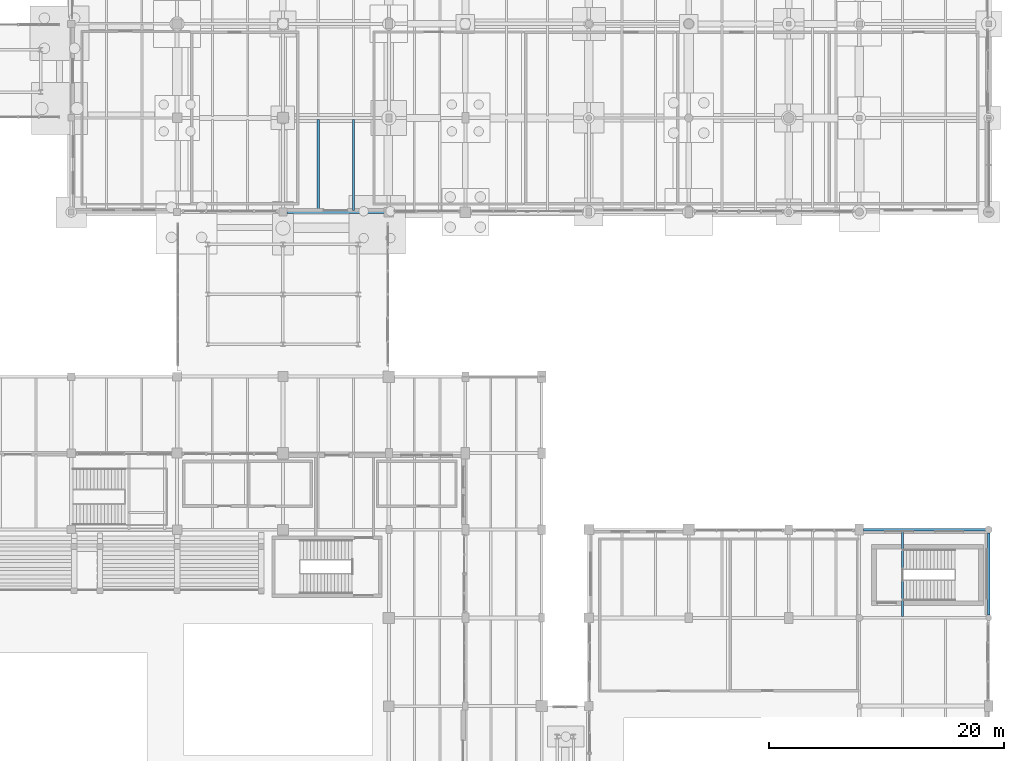
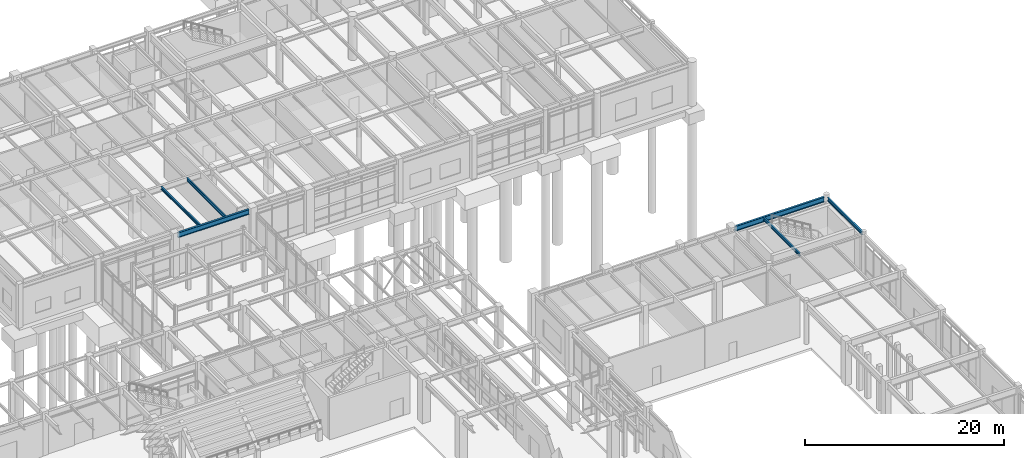
# One storey, part 126 of 203: 6 beams.
"""IFC4 building model written with IfcOpenShell, lengths in metres."""

import ifcopenshell
import ifcopenshell.guid

model = None  # the IFC model being written
_history = None  # IfcOwnerHistory: only IFC2X3 demands one
_inside = {}  # id of a spatial element -> (the spatial element, [elements in it])
_under = {}  # id of a project, library or spatial element -> (it, [spatial elements below it])
_declared = {}  # id of a project -> (the project, [libraries it declares])
_typed = {}  # id of a type object -> (the type object, [elements of that type])
_made_of = {}  # id of a material, layer set ... -> (it, [elements and type objects made of it])


def new_model(schema):
    """Start an empty IFC model of exactly this schema.

    Asked for "IFC4X3", IfcOpenShell would pick the latest addendum, in which some entities
    have other attributes; the version numbers below select the first issue.
    IFC2X3 requires an IfcOwnerHistory on every rooted entity: one is made here for all.
    """
    global model, _history
    if schema == "IFC4X3":
        model = ifcopenshell.file(schema_version=(4, 3, 0, 0))
    else:
        model = ifcopenshell.file(schema=schema)
    _inside.clear()
    _under.clear()
    _declared.clear()
    _typed.clear()
    _made_of.clear()
    _history = None
    if model.schema == "IFC2X3":
        org = make("IfcOrganization", Name="unknown")
        user = make(
            "IfcPersonAndOrganization",
            ThePerson=make("IfcPerson", FamilyName="unknown"),
            TheOrganization=org,
        )
        app = make(
            "IfcApplication",
            ApplicationDeveloper=org,
            Version="unknown",
            ApplicationFullName="unknown",
            ApplicationIdentifier="unknown",
        )
        _history = make(
            "IfcOwnerHistory",
            OwningUser=user,
            OwningApplication=app,
            ChangeAction="ADDED",
            CreationDate=0,
        )
    return model


def make(cls, **values):
    """One entity of the class cls with the attributes given. An attribute that is None is left unset."""
    return model.create_entity(
        cls, **{name: value for name, value in values.items() if value is not None}
    )


def rooted(cls, **values):
    """An entity with a GlobalId (a new one), such as an element, a storey or a relation."""
    return make(cls, GlobalId=ifcopenshell.guid.new(), OwnerHistory=_history, **values)


def si_unit(unit_type, name, prefix=None):
    """IfcSIUnit, for example si_unit("LENGTHUNIT", "METRE", prefix="MILLI")."""
    return make("IfcSIUnit", UnitType=unit_type, Prefix=prefix, Name=name)


def assignment(units):
    """IfcUnitAssignment: the units of a project."""
    return None if units is None else make("IfcUnitAssignment", Units=units)


def point(xyz):
    """IfcCartesianPoint."""
    return None if xyz is None else make("IfcCartesianPoint", Coordinates=xyz)


def direction(xyz):
    """IfcDirection."""
    return None if xyz is None else make("IfcDirection", DirectionRatios=xyz)


def frame(location, z_axis=None, x_axis=None):
    """IfcAxis2Placement3D, a coordinate frame: its origin and axes. An axis left out is left unset."""
    return make(
        "IfcAxis2Placement3D",
        Location=point(location),
        Axis=direction(z_axis),
        RefDirection=direction(x_axis),
    )


def frame_2d(location, x_axis=None):
    """IfcAxis2Placement2D, a coordinate frame in the plane: its origin and x axis."""
    return make(
        "IfcAxis2Placement2D", Location=point(location), RefDirection=direction(x_axis)
    )


def origin():
    """The frame at (0, 0, 0) with its axes left unset."""
    return frame((0.0, 0.0, 0.0))


def origin_2d():
    """The frame at (0, 0) in the plane with its x axis left unset."""
    return frame_2d((0.0, 0.0))


def place(relative_to, where):
    """IfcLocalPlacement: puts the frame where relative to a parent placement (None: the world)."""
    return make(
        "IfcLocalPlacement", PlacementRelTo=relative_to, RelativePlacement=where
    )


def context(
    kind, dimensions, precision=None, world=None, true_north=None, identifier=None
):
    """IfcGeometricRepresentationContext, for example the 3D "Model" context."""
    return make(
        "IfcGeometricRepresentationContext",
        ContextIdentifier=identifier,
        ContextType=kind,
        CoordinateSpaceDimension=dimensions,
        Precision=precision,
        WorldCoordinateSystem=world,
        TrueNorth=true_north,
    )


def subcontext(parent, identifier, kind, view, scale=None):
    """IfcGeometricRepresentationSubContext, for example "Body" below "Model"."""
    return make(
        "IfcGeometricRepresentationSubContext",
        ContextIdentifier=identifier,
        ContextType=kind,
        ParentContext=parent,
        TargetScale=scale,
        TargetView=view,
    )


def project(units=None, contexts=None):
    """IfcProject with its units and contexts."""
    return rooted(
        "IfcProject",
        Name="project",
        RepresentationContexts=contexts,
        UnitsInContext=assignment(units),
    )


def spatial(cls, under=None, at=None, **own):
    """A site, building, storey or space (cls), placed at a placement, below another one or the project."""
    s = rooted(cls, ObjectPlacement=at, **own)
    if under is not None:
        _under.setdefault(under.id(), (under, []))[1].append(s)
    return s


def profile(cls, at=None, kind="AREA", **sizes):
    """A parametric profile (cls). Its sizes go by their IFC names, for example OverallWidth=200.0."""
    return make(cls, ProfileType=kind, Position=at, **sizes)


def i_section(**sizes):
    """IfcIShapeProfileDef."""
    return profile("IfcIShapeProfileDef", **sizes)


def extrude(swept, where, along, depth):
    """IfcExtrudedAreaSolid: the profile swept, set in the frame where, extruded along a direction by depth."""
    return make(
        "IfcExtrudedAreaSolid",
        SweptArea=swept,
        Position=where,
        ExtrudedDirection=direction(along),
        Depth=depth,
    )


def shape(context_of_items, identifier, shape_type, items):
    """IfcShapeRepresentation: the items that make up one representation, for example the "Body"."""
    return make(
        "IfcShapeRepresentation",
        ContextOfItems=context_of_items,
        RepresentationIdentifier=identifier,
        RepresentationType=shape_type,
        Items=items,
    )


def material(Name=None, Category=None):
    """IfcMaterial."""
    return make("IfcMaterial", Name=Name, Category=Category)


def material_profile(
    of_material, cross_section, Name=None, Category=None, Priority=None
):
    """IfcMaterialProfile: a cross section and its material."""
    return make(
        "IfcMaterialProfile",
        Name=Name,
        Material=of_material,
        Profile=cross_section,
        Priority=Priority,
        Category=Category,
    )


def profile_set(profiles, Name=None, composite=None):
    """IfcMaterialProfileSet."""
    return make(
        "IfcMaterialProfileSet",
        Name=Name,
        MaterialProfiles=profiles,
        CompositeProfile=composite,
    )


def made_of(thing, what):
    """Note that an element or type object is made of a material, layer set ...; save() writes the relation."""
    if what is not None:
        _made_of.setdefault(what.id(), (what, []))[1].append(thing)
    return thing


def type_object(cls, material=None, **own):
    """A type object (cls), such as IfcWallType, which elements share."""
    return made_of(rooted(cls, **own), material)


def element(
    cls,
    number,
    at=None,
    inside=None,
    cuts=None,
    type_object=None,
    material=None,
    context=None,
    identifier="Body",
    shape_type=None,
    held_by="IfcProductDefinitionShape",
    body=None,
    shapes=None,
    **own,
):
    """One element of the class cls, such as IfcWall. Its Tag is "e" and its number.

    at: its placement. inside: the storey or other place that contains it. cuts: it is an
    opening in that element (IfcRelVoidsElement). A single representation is given by context,
    identifier, shape_type and body (its items); several are given by shapes. held_by: the class
    of the entity that holds the representations. save() writes the other relations.
    """
    e = rooted(cls, Tag="e%d" % number, ObjectPlacement=at, **own)
    if body is not None:
        shapes = [shape(context, identifier, shape_type, body)]
    if shapes is not None:
        e.Representation = make(held_by, Representations=shapes)
    if inside is not None:
        _inside.setdefault(inside.id(), (inside, []))[1].append(e)
    if cuts is not None:
        rooted(
            "IfcRelVoidsElement", RelatingBuildingElement=cuts, RelatedOpeningElement=e
        )
    if type_object is not None:
        _typed.setdefault(type_object.id(), (type_object, []))[1].append(e)
    return made_of(e, material)


def aggregate(whole, parts):
    """IfcRelAggregates: a whole, such as a stair, and the parts it consists of."""
    return rooted("IfcRelAggregates", RelatingObject=whole, RelatedObjects=parts)


def save(model, path):
    """Write the relations noted so far, then the file.

    IfcRelAggregates (storeys below a building ...), IfcRelContainedInSpatialStructure (elements
    in a storey), IfcRelDefinesByType, IfcRelAssociatesMaterial and IfcRelDeclares: one each for
    every whole, place, type object, material and project.
    """
    for whole, parts in _under.values():
        aggregate(whole, parts)
    for where, things in _inside.values():
        rooted(
            "IfcRelContainedInSpatialStructure",
            RelatedElements=things,
            RelatingStructure=where,
        )
    for kind, things in _typed.values():
        rooted("IfcRelDefinesByType", RelatedObjects=things, RelatingType=kind)
    for what, things in _made_of.values():
        rooted("IfcRelAssociatesMaterial", RelatedObjects=things, RelatingMaterial=what)
    for by, libraries in _declared.values():
        rooted("IfcRelDeclares", RelatingContext=by, RelatedDefinitions=libraries)
    model.write(path)


model = new_model("IFC4")

# Units and contexts
model_context = context("Model", 3, precision=1e-05, world=origin(), true_north=direction((0.0, 1.0)))
body_context = subcontext(model_context, "Body", "Model", "MODEL_VIEW")
ifc_project = project(units=[si_unit("LENGTHUNIT", "METRE"), si_unit("AREAUNIT", "SQUARE_METRE"), si_unit("VOLUMEUNIT", "CUBIC_METRE"), si_unit("PLANEANGLEUNIT", "RADIAN"), si_unit("MASSUNIT", "GRAM", prefix="KILO"), si_unit("THERMODYNAMICTEMPERATUREUNIT", "KELVIN"), si_unit("POWERUNIT", "WATT")], contexts=[model_context])

# Site, building, storey
site_placement = place(None, origin())
site = spatial("IfcSite", under=ifc_project, at=site_placement, CompositionType="ELEMENT")
building_placement = place(site_placement, origin())
building = spatial("IfcBuilding", under=site, at=building_placement, Name="Tepalcoro Natatorium and Aquatics Centre", CompositionType="ELEMENT")
storey_placement = place(building_placement, origin())
storey = spatial("IfcBuildingStorey", under=building, at=storey_placement, Name="L00", CompositionType="ELEMENT", Elevation=0.0)

# Beams
ifc_material = material(Name="Steel ASTM A992 Grade 50 (Fy 345 MPa)", Category="steel")
ifc_material_profile_1 = material_profile(ifc_material, i_section(OverallWidth=0.172119140625, OverallDepth=0.35791015625, WebThickness=0.008056640625, FlangeThickness=0.012939453125, FilletRadius=0.013916015625, at=origin_2d()), Name="W14X38")
ifc_profile_set_1 = profile_set([ifc_material_profile_1], Name="Steel ASTM A992 Grade 50 (Fy 345 MPa)")
beam_type_1 = type_object("IfcBeamType", Name="JS_W14x38", PredefinedType="JOIST", material=ifc_profile_set_1)
beam_1_placement = place(storey_placement, frame((168.666748046875, 51.6015625, 4.946044921875), z_axis=(0.0, 1.0, 0.0), x_axis=(-1.0, 0.0, 0.0)))
element("IfcBeam", 1, at=beam_1_placement, inside=storey, type_object=beam_type_1, Name="V2 L00 Floor Joist", PredefinedType="JOIST", context=body_context, shape_type="SweptSolid", body=[
    extrude(i_section(OverallWidth=0.172119140625, OverallDepth=0.35791015625, WebThickness=0.008056640625, FlangeThickness=0.012939453125, FilletRadius=0.013916015625, at=origin_2d()), origin(), (0.0, 0.0, 1.0), 7.283935546875),
])
beam_2_placement = place(storey_placement, frame((119.0, 86.114501953125, 4.946044921875), z_axis=(0.0, 1.0, 0.0), x_axis=(-1.0, 0.0, 0.0)))
element("IfcBeam", 2, at=beam_2_placement, inside=storey, type_object=beam_type_1, Name="V5 L00 Floor Joist", PredefinedType="JOIST", context=body_context, shape_type="SweptSolid", body=[
    extrude(i_section(OverallWidth=0.172119140625, OverallDepth=0.35791015625, WebThickness=0.008056640625, FlangeThickness=0.012939453125, FilletRadius=0.013916015625, at=origin_2d()), origin(), (0.0, 0.0, 1.0), 7.758544921875),
])
ifc_material_profile_2 = material_profile(ifc_material, i_section(OverallWidth=0.139892578125, OverallDepth=0.404052734375, WebThickness=0.007080078125, FlangeThickness=0.010986328125, FilletRadius=0.013916015625, at=origin_2d()), Name="W16X31")
ifc_profile_set_2 = profile_set([ifc_material_profile_2], Name="Steel ASTM A992 Grade 50 (Fy 345 MPa)")
beam_type_2 = type_object("IfcBeamType", Name="JS_W16x31", PredefinedType="JOIST", material=ifc_profile_set_2)
beam_3_placement = place(storey_placement, frame((122.0, 86.114501953125, 4.923095703125), z_axis=(0.0, 1.0, 0.0), x_axis=(-1.0, 0.0, 0.0)))
element("IfcBeam", 3, at=beam_3_placement, inside=storey, type_object=beam_type_2, Name="V5 L00 Floor Joist", PredefinedType="JOIST", context=body_context, shape_type="SweptSolid", body=[
    extrude(i_section(OverallWidth=0.139892578125, OverallDepth=0.404052734375, WebThickness=0.007080078125, FlangeThickness=0.010986328125, FilletRadius=0.013916015625, at=origin_2d()), origin(), (0.0, 0.0, 1.0), 7.758544921875),
])
ifc_material_profile_3 = material_profile(ifc_material, i_section(OverallWidth=0.179931640625, OverallDepth=0.4130859375, WebThickness=0.010009765625, FlangeThickness=0.01611328125, FilletRadius=0.013916015625, at=origin_2d()), Name="W16X50")
ifc_profile_set_3 = profile_set([ifc_material_profile_3], Name="Steel ASTM A992 Grade 50 (Fy 345 MPa)")
beam_type_3 = type_object("IfcBeamType", Name="SP_HSS300x200x12", PredefinedType="SPANDREL", material=ifc_profile_set_3)
beam_4_placement = place(storey_placement, frame((176.0, 51.735107421875, 4.91845703125), z_axis=(0.0, 1.0, 0.0), x_axis=(-1.0, 0.0, 0.0)))
element("IfcBeam", 4, at=beam_4_placement, inside=storey, type_object=beam_type_3, Name="V2 L00 Grid Girder Y", PredefinedType="SPANDREL", context=body_context, shape_type="SweptSolid", body=[
    extrude(i_section(OverallWidth=0.179931640625, OverallDepth=0.4130859375, WebThickness=0.010009765625, FlangeThickness=0.01611328125, FilletRadius=0.013916015625, at=origin_2d()), origin(), (0.0, 0.0, 1.0), 6.97998046875),
])
ifc_material_profile_4 = material_profile(ifc_material, i_section(OverallWidth=0.22900390625, OverallDepth=0.612060546875, WebThickness=0.011962890625, FlangeThickness=0.02001953125, FilletRadius=0.013916015625, at=origin_2d()), Name="W24X84")
ifc_profile_set_4 = profile_set([ifc_material_profile_4], Name="Steel ASTM A992 Grade 50 (Fy 345 MPa)")
beam_type_4 = type_object("IfcBeamType", Name="SP_W24x84", PredefinedType="SPANDREL", material=ifc_profile_set_4)
beam_5_placement = place(storey_placement, frame((165.3349609375, 59.0, 4.819091796875), z_axis=(1.0, 0.0, 0.0), x_axis=(0.0, 1.0, 0.0)))
element("IfcBeam", 5, at=beam_5_placement, inside=storey, type_object=beam_type_4, Name="V2 L00 Grid Girder X", PredefinedType="SPANDREL", context=body_context, shape_type="SweptSolid", body=[
    extrude(i_section(OverallWidth=0.22900390625, OverallDepth=0.612060546875, WebThickness=0.011962890625, FlangeThickness=0.02001953125, FilletRadius=0.013916015625, at=origin_2d()), origin(), (0.0, 0.0, 1.0), 10.380126953125),
])
beam_6_placement = place(storey_placement, frame((116.3349609375, 86.0, 4.819091796875), z_axis=(1.0, 0.0, 0.0), x_axis=(0.0, 1.0, 0.0)))
element("IfcBeam", 6, at=beam_6_placement, inside=storey, type_object=beam_type_4, Name="V5 L00 Grid Girder X", PredefinedType="SPANDREL", context=body_context, shape_type="SweptSolid", body=[
    extrude(i_section(OverallWidth=0.22900390625, OverallDepth=0.612060546875, WebThickness=0.011962890625, FlangeThickness=0.02001953125, FilletRadius=0.013916015625, at=origin_2d()), origin(), (0.0, 0.0, 1.0), 8.280029296875),
])

save(model, "model.ifc")
